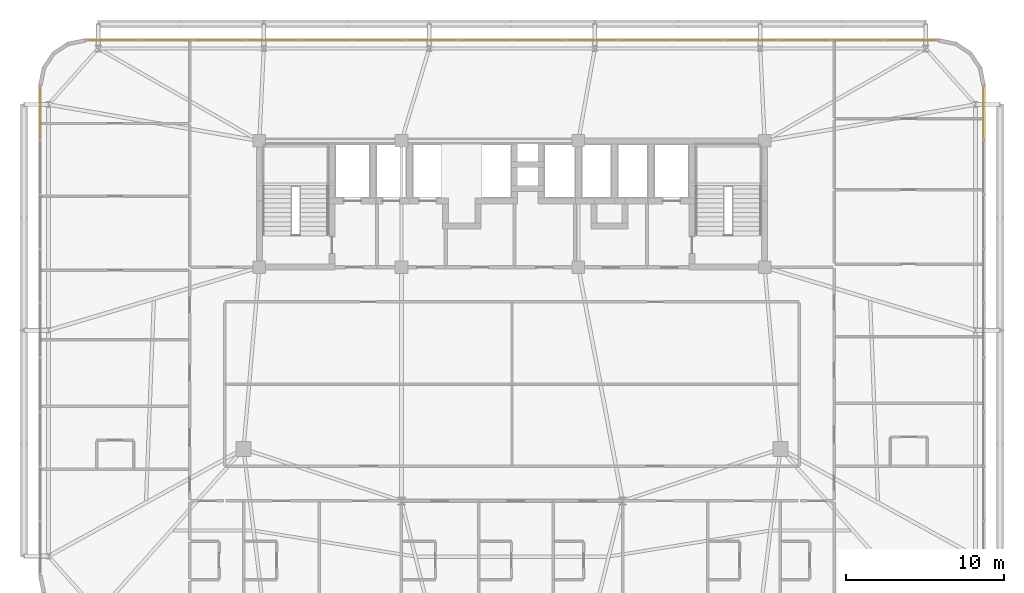
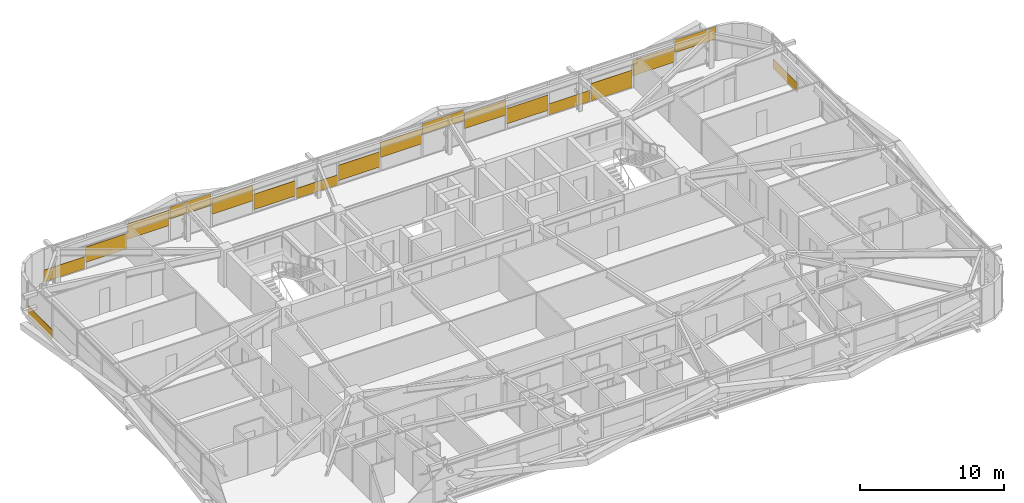
# One storey, part 59 of 59: 18 coverings.
"""IFC4 building model written with IfcOpenShell, lengths in metres."""

from ifc_helpers import new_model, si_unit, direction, frame, origin, origin_2d, place, context, subcontext, project, spatial, rectangle, extrude, source, transform, mapped, material, layer, layer_set, type_object, element, save


model = new_model("IFC4")

# Units and contexts
model_context = context("Model", 3, precision=1e-05, world=origin(), true_north=direction((0.0, 1.0)))
body_context = subcontext(model_context, "Body", "Model", "MODEL_VIEW")
ifc_project = project(units=[si_unit("LENGTHUNIT", "METRE"), si_unit("AREAUNIT", "SQUARE_METRE"), si_unit("VOLUMEUNIT", "CUBIC_METRE"), si_unit("PLANEANGLEUNIT", "RADIAN"), si_unit("MASSUNIT", "GRAM", prefix="KILO")], contexts=[model_context])

# Site, building, storey
site_placement = place(None, origin())
site = spatial("IfcSite", under=ifc_project, at=site_placement, CompositionType="ELEMENT")
building_placement = place(site_placement, origin())
building = spatial("IfcBuilding", under=site, at=building_placement, Name="Taldren Reach Tower", CompositionType="ELEMENT")
storey_placement = place(building_placement, frame((0.0, 0.0, 23.10009765625)))
storey = spatial("IfcBuildingStorey", under=building, at=storey_placement, Name="L06", CompositionType="ELEMENT", Elevation=23.10009765625)

# Coverings
ifc_material = material(Name="Pale Champagne Fluoropolymer Aluminium Spandrel Cladding", Category="aluminium")
ifc_layer = layer(ifc_material, 0.0439453125)
ifc_layer_set = layer_set([ifc_layer], Name="Pale Champagne Fluoropolymer Aluminium Spandrel Cladding")
covering_type = type_object("IfcCoveringType", Name="CV-CLAD-044", PredefinedType="CLADDING", material=ifc_layer_set)
shared_shape_1 = source(origin(), body_context, "Body", "SweptSolid", [
    extrude(rectangle(XDim=3.277587890625, YDim=0.0439453125, at=origin_2d()), origin(), (0.0, 0.0, 1.0), 1.081298828125),
])
covering_1_placement = place(storey_placement, frame((60.296142578125, 38.360107421875, 1.79345703125), z_axis=(0.0, 0.0, 1.0), x_axis=(-1.0, 0.0, 0.0)))
element("IfcCovering", 1, at=covering_1_placement, inside=storey, type_object=covering_type, Name="Diagrid closure cladding strip CW-2 panel 1.1 1", PredefinedType="CLADDING", context=body_context, shape_type="MappedRepresentation", body=[
    mapped(shared_shape_1, transform((0.0, 0.0, 0.0), scale=1.0)),
])
shared_shape_2 = source(origin(), body_context, "Body", "SweptSolid", [
    extrude(rectangle(XDim=3.31005859375, YDim=0.0439453125, at=origin_2d()), origin(), (0.0, 0.0, 1.0), 1.301025390625),
])
for number, where, z_axis, x_axis, name in (
    (2, (56.9375, 38.360107421875, 1.01123046875), (0.0, 0.0, 1.0), (-1.0, 0.0, 0.0), "Diagrid closure cladding strip CW-2 panel 2.1 1"),
    (3, (46.8125, 38.360107421875, 0.4755859375), (0.0, 0.0, 1.0), (-1.0, 0.0, 0.0), "Diagrid closure cladding strip CW-2 panel 5.1 1"),
    (4, (43.4375, 38.360107421875, 1.2578125), (0.0, 0.0, 1.0), (-1.0, 0.0, 0.0), "Diagrid closure cladding strip CW-2 panel 6.1 1"),
    (5, (36.6875, 38.360107421875, 1.17578125), (0.0, 0.0, 1.0), (-1.0, 0.0, 0.0), "Diagrid closure cladding strip CW-2 panel 8.1 1"),
    (6, (33.3125, 38.360107421875, 0.39306640625), (0.0, 0.0, 1.0), (-1.0, 0.0, 0.0), "Diagrid closure cladding strip CW-2 panel 9.1 1"),
    (7, (26.5625, 38.360107421875, 0.31103515625), (0.0, 0.0, 1.0), (-1.0, 0.0, 0.0), "Diagrid closure cladding strip CW-2 panel 11.1 1"),
    (8, (23.1875, 38.360107421875, 1.09326171875), (0.0, 0.0, 1.0), (-1.0, 0.0, 0.0), "Diagrid closure cladding strip CW-2 panel 12.1 1"),
    (9, (16.4375, 38.360107421875, 1.34033203125), (0.0, 0.0, 1.0), (-1.0, 0.0, 0.0), "Diagrid closure cladding strip CW-2 panel 14.1 1"),
    (10, (13.0625, 38.360107421875, 0.5576171875), (0.0, 0.0, 1.0), (-1.0, 0.0, 0.0), "Diagrid closure cladding strip CW-2 panel 15.1 1"),
):
    element("IfcCovering", number, at=place(storey_placement, frame(where, z_axis=z_axis, x_axis=x_axis)), inside=storey, type_object=covering_type, Name=name, PredefinedType="CLADDING", context=body_context, shape_type="MappedRepresentation", body=[
        mapped(shared_shape_2, transform((0.0, 0.0, 0.0), scale=1.0)),
    ])
shared_shape_3 = source(origin(), body_context, "Body", "SweptSolid", [
    extrude(rectangle(XDim=3.31005859375, YDim=0.0439453125, at=origin_2d()), origin(), (0.0, 0.0, 1.0), 1.474609375),
])
covering_2_placement = place(storey_placement, frame((53.5625, 38.360107421875, 0.054931640625), z_axis=(0.0, 0.0, 1.0), x_axis=(-1.0, 0.0, 0.0)))
element("IfcCovering", 11, at=covering_2_placement, inside=storey, type_object=covering_type, Name="Diagrid closure cladding strip CW-2 panel 3.1 1", PredefinedType="CLADDING", context=body_context, shape_type="MappedRepresentation", body=[
    mapped(shared_shape_3, transform((0.0, 0.0, 0.0), scale=1.0)),
])
shared_shape_4 = source(origin(), body_context, "Body", "SweptSolid", [
    extrude(rectangle(XDim=3.31005859375, YDim=0.0439453125, at=origin_2d()), origin(), (0.0, 0.0, 1.0), 0.93896484375),
])
covering_3_placement = place(storey_placement, frame((50.1875, 38.360107421875, 0.054931640625), z_axis=(0.0, 0.0, 1.0), x_axis=(-1.0, 0.0, 0.0)))
element("IfcCovering", 12, at=covering_3_placement, inside=storey, type_object=covering_type, Name="Diagrid closure cladding strip CW-2 panel 4.1 1", PredefinedType="CLADDING", context=body_context, shape_type="MappedRepresentation", body=[
    mapped(shared_shape_4, transform((0.0, 0.0, 0.0), scale=1.0)),
])
shared_shape_5 = source(origin(), body_context, "Body", "SweptSolid", [
    extrude(rectangle(XDim=3.31005859375, YDim=0.0439453125, at=origin_2d()), origin(), (0.0, 0.0, 1.0), 0.916748046875),
])
covering_4_placement = place(storey_placement, frame((40.0625, 38.360107421875, 1.9580078125), z_axis=(0.0, 0.0, 1.0), x_axis=(-1.0, 0.0, 0.0)))
element("IfcCovering", 13, at=covering_4_placement, inside=storey, type_object=covering_type, Name="Diagrid closure cladding strip CW-2 panel 7.1 1", PredefinedType="CLADDING", context=body_context, shape_type="MappedRepresentation", body=[
    mapped(shared_shape_5, transform((0.0, 0.0, 0.0), scale=1.0)),
])
shared_shape_6 = source(origin(), body_context, "Body", "SweptSolid", [
    extrude(rectangle(XDim=3.31005859375, YDim=0.0439453125, at=origin_2d()), origin(), (0.0, 0.0, 1.0), 0.856689453125),
])
covering_5_placement = place(storey_placement, frame((29.9375, 38.360107421875, 0.0546875), z_axis=(0.0, 0.0, 1.0), x_axis=(-1.0, 0.0, 0.0)))
element("IfcCovering", 14, at=covering_5_placement, inside=storey, type_object=covering_type, Name="Diagrid closure cladding strip CW-2 panel 10.1 1", PredefinedType="CLADDING", context=body_context, shape_type="MappedRepresentation", body=[
    mapped(shared_shape_6, transform((0.0, 0.0, 0.0), scale=1.0)),
])
shared_shape_7 = source(origin(), body_context, "Body", "SweptSolid", [
    extrude(rectangle(XDim=3.31005859375, YDim=0.0439453125, at=origin_2d()), origin(), (0.0, 0.0, 1.0), 0.9990234375),
])
covering_6_placement = place(storey_placement, frame((19.8125, 38.360107421875, 1.8759765625), z_axis=(0.0, 0.0, 1.0), x_axis=(-1.0, 0.0, 0.0)))
element("IfcCovering", 15, at=covering_6_placement, inside=storey, type_object=covering_type, Name="Diagrid closure cladding strip CW-2 panel 13.1 1", PredefinedType="CLADDING", context=body_context, shape_type="MappedRepresentation", body=[
    mapped(shared_shape_7, transform((0.0, 0.0, 0.0), scale=1.0)),
])
shared_shape_8 = source(origin(), body_context, "Body", "SweptSolid", [
    extrude(rectangle(XDim=3.277587890625, YDim=0.0439453125, at=origin_2d()), origin(), (0.0, 0.0, 1.0), 1.021240234375),
])
covering_7_placement = place(storey_placement, frame((9.703857421875, 38.360107421875, 0.0546875), z_axis=(0.0, 0.0, 1.0), x_axis=(-1.0, 0.0, 0.0)))
element("IfcCovering", 16, at=covering_7_placement, inside=storey, type_object=covering_type, Name="Diagrid closure cladding strip CW-2 panel 16.1 1", PredefinedType="CLADDING", context=body_context, shape_type="MappedRepresentation", body=[
    mapped(shared_shape_8, transform((0.0, 0.0, 0.0), scale=1.0)),
])
shared_shape_9 = source(origin(), body_context, "Body", "SweptSolid", [
    extrude(rectangle(XDim=3.346923828125, YDim=0.0439453125, at=origin_2d()), origin(), (0.0, 0.0, 1.0), 0.804443359375),
])
for number, where, z_axis, x_axis, name in (
    (17, (5.139892578125, 33.761474609375, 0.05517578125), (0.0, 0.0, 1.0), (0.0, -1.0, 0.0), "Diagrid closure cladding strip CW-2 panel 1.1 1"),
    (18, (64.860107421875, 33.761474609375, 0.05517578125), (0.0, 0.0, 1.0), (0.0, 1.0, 0.0), "Diagrid closure cladding strip CW-2 panel 9.1 1"),
):
    element("IfcCovering", number, at=place(storey_placement, frame(where, z_axis=z_axis, x_axis=x_axis)), inside=storey, type_object=covering_type, Name=name, PredefinedType="CLADDING", context=body_context, shape_type="MappedRepresentation", body=[
        mapped(shared_shape_9, transform((0.0, 0.0, 0.0), scale=1.0)),
    ])

save(model, "model.ifc")
